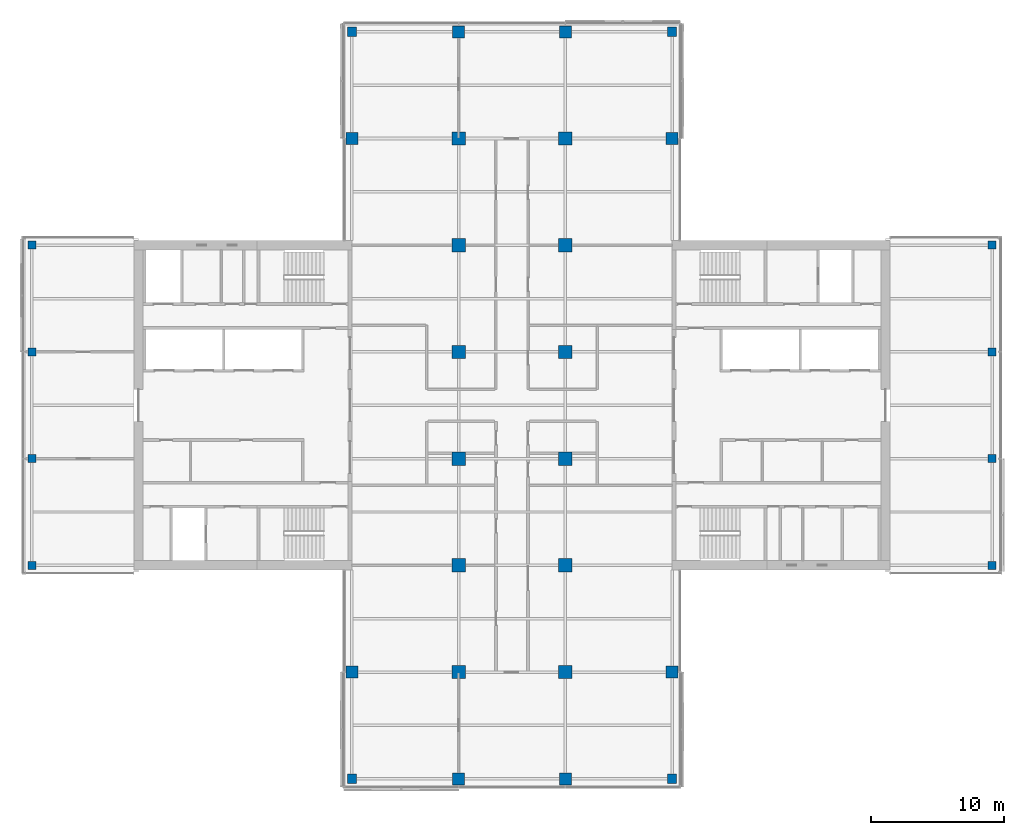
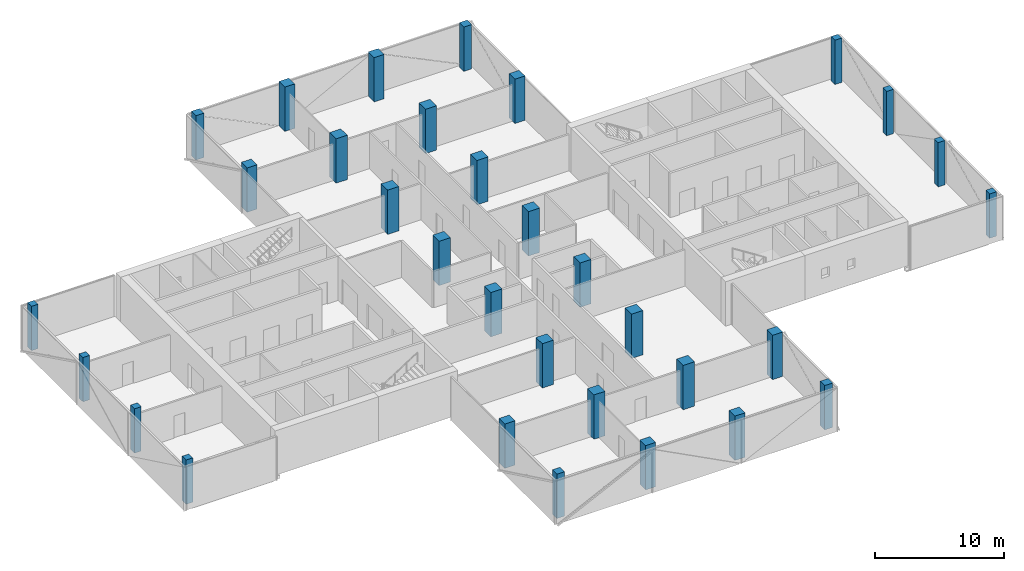
# One storey, part 1 of 22: 32 columns.
"""IFC4 building model written with IfcOpenShell, lengths in metres."""

from ifc_helpers import new_model, si_unit, direction, frame, origin, origin_2d, place, context, subcontext, project, spatial, rectangle, extrude, material, material_profile, profile_set, type_object, element, save


model = new_model("IFC4")

# Units and contexts
model_context = context("Model", 3, precision=1e-05, world=origin(), true_north=direction((0.0, 1.0)))
body_context = subcontext(model_context, "Body", "Model", "MODEL_VIEW")
ifc_project = project(units=[si_unit("LENGTHUNIT", "METRE"), si_unit("AREAUNIT", "SQUARE_METRE"), si_unit("VOLUMEUNIT", "CUBIC_METRE"), si_unit("PLANEANGLEUNIT", "RADIAN"), si_unit("MASSUNIT", "GRAM", prefix="KILO")], contexts=[model_context])

# Site, building, storey
site_placement = place(None, origin())
site = spatial("IfcSite", under=ifc_project, at=site_placement, CompositionType="ELEMENT")
building_placement = place(site_placement, origin())
building = spatial("IfcBuilding", under=site, at=building_placement, Name="Crosswind Convention Tower", CompositionType="ELEMENT")
storey_placement = place(building_placement, frame((0.0, 0.0, 154.699951171875)))
storey = spatial("IfcBuildingStorey", under=building, at=storey_placement, Name="L32", CompositionType="ELEMENT", Elevation=154.699951171875)

# Columns
ifc_material_1 = material(Name="Concrete C70/85", Category="concrete")
ifc_material_profile_1 = material_profile(ifc_material_1, rectangle(XDim=1.0, YDim=1.0, at=origin_2d()), Name="RC 1000X1000")
ifc_profile_set_1 = profile_set([ifc_material_profile_1], Name="Concrete C70/85")
column_type_1 = type_object("IfcColumnType", Name="Column RC 1000X1000", PredefinedType="COLUMN", material=ifc_profile_set_1)
for number, where, z_axis, x_axis, name in (
    (1, (121.0, 80.0, 0.0), (0.0, 0.0, 1.0), (1.0, 0.0, 0.0), "C12 L32 6/D"),
    (2, (121.0, 88.0, 0.0), (0.0, 0.0, 1.0), (1.0, 0.0, 0.0), "C12 L32 6/E"),
    (3, (121.0, 96.0, 0.0), (0.0, 0.0, 1.0), (1.0, 0.0, 0.0), "C12 L32 6/F"),
    (4, (121.0, 104.0, 0.0), (0.0, 0.0, 1.0), (1.0, 0.0, 0.0), "C12 L32 6/G"),
    (5, (121.0, 112.0, 0.0), (0.0, 0.0, 1.0), (1.0, 0.0, 0.0), "C12 L32 6/H"),
    (6, (121.0, 120.0, 0.0), (0.0, 0.0, 1.0), (1.0, 0.0, 0.0), "C12 L32 6/I"),
    (7, (129.0, 80.0, 0.0), (0.0, 0.0, 1.0), (1.0, 0.0, 0.0), "C12 L32 7/D"),
    (8, (129.0, 88.0, 0.0), (0.0, 0.0, 1.0), (1.0, 0.0, 0.0), "C12 L32 7/E"),
    (9, (129.0, 96.0, 0.0), (0.0, 0.0, 1.0), (1.0, 0.0, 0.0), "C12 L32 7/F"),
    (10, (129.0, 104.0, 0.0), (0.0, 0.0, 1.0), (1.0, 0.0, 0.0), "C12 L32 7/G"),
    (11, (129.0, 112.0, 0.0), (0.0, 0.0, 1.0), (1.0, 0.0, 0.0), "C12 L32 7/H"),
    (12, (129.0, 120.0, 0.0), (0.0, 0.0, 1.0), (1.0, 0.0, 0.0), "C12 L32 7/I"),
):
    element("IfcColumn", number, at=place(storey_placement, frame(where, z_axis=z_axis, x_axis=x_axis)), inside=storey, type_object=column_type_1, Name=name, PredefinedType="COLUMN", context=body_context, shape_type="SweptSolid", body=[
        extrude(rectangle(XDim=1.0, YDim=1.0, at=origin_2d()), origin(), (0.0, 0.0, 1.0), 4.199951171875),
    ])
ifc_material_2 = material(Name="Concrete C60/75", Category="concrete")
ifc_material_profile_2 = material_profile(ifc_material_2, rectangle(XDim=0.60009765625, YDim=0.60009765625, at=origin_2d()), Name="RC 600X600")
ifc_profile_set_2 = profile_set([ifc_material_profile_2], Name="Concrete C60/75")
column_type_2 = type_object("IfcColumnType", Name="Column RC 600X600", PredefinedType="COLUMN", material=ifc_profile_set_2)
for number, where, z_axis, x_axis, name in (
    (13, (89.0, 88.0, 0.0), (0.0, 0.0, 1.0), (1.0, 0.0, 0.0), "C16 L32 2/E"),
    (14, (89.0, 96.0, 0.0), (0.0, 0.0, 1.0), (1.0, 0.0, 0.0), "C16 L32 2/F"),
    (15, (89.0, 104.0, 0.0), (0.0, 0.0, 1.0), (1.0, 0.0, 0.0), "C16 L32 2/G"),
    (16, (89.0, 112.0, 0.0), (0.0, 0.0, 1.0), (1.0, 0.0, 0.0), "C16 L32 2/H"),
    (17, (161.0, 88.0, 0.0), (0.0, 0.0, 1.0), (1.0, 0.0, 0.0), "C16 L32 11/E"),
    (18, (161.0, 96.0, 0.0), (0.0, 0.0, 1.0), (1.0, 0.0, 0.0), "C16 L32 11/F"),
    (19, (161.0, 104.0, 0.0), (0.0, 0.0, 1.0), (1.0, 0.0, 0.0), "C16 L32 11/G"),
    (20, (161.0, 112.0, 0.0), (0.0, 0.0, 1.0), (1.0, 0.0, 0.0), "C16 L32 11/H"),
):
    element("IfcColumn", number, at=place(storey_placement, frame(where, z_axis=z_axis, x_axis=x_axis)), inside=storey, type_object=column_type_2, Name=name, PredefinedType="COLUMN", context=body_context, shape_type="SweptSolid", body=[
        extrude(rectangle(XDim=0.60009765625, YDim=0.60009765625, at=origin_2d()), origin(), (0.0, 0.0, 1.0), 4.199951171875),
    ])
ifc_material_profile_3 = material_profile(ifc_material_2, rectangle(XDim=0.699951171875, YDim=0.699951171875, at=origin_2d()), Name="RC 700X700")
ifc_profile_set_3 = profile_set([ifc_material_profile_3], Name="Concrete C60/75")
column_type_3 = type_object("IfcColumnType", Name="Column RC 700X700", PredefinedType="COLUMN", material=ifc_profile_set_3)
for number, where, z_axis, x_axis, name in (
    (21, (113.0, 72.0, 0.0), (0.0, 0.0, 1.0), (1.0, 0.0, 0.0), "C15 L32 5/C"),
    (22, (113.0, 128.0, 0.0), (0.0, 0.0, 1.0), (1.0, 0.0, 0.0), "C15 L32 5/J"),
    (23, (137.0, 72.0, 0.0), (0.0, 0.0, 1.0), (1.0, 0.0, 0.0), "C15 L32 8/C"),
    (24, (137.0, 128.0, 0.0), (0.0, 0.0, 1.0), (1.0, 0.0, 0.0), "C15 L32 8/J"),
):
    element("IfcColumn", number, at=place(storey_placement, frame(where, z_axis=z_axis, x_axis=x_axis)), inside=storey, type_object=column_type_3, Name=name, PredefinedType="COLUMN", context=body_context, shape_type="SweptSolid", body=[
        extrude(rectangle(XDim=0.699951171875, YDim=0.699951171875, at=origin_2d()), origin(), (0.0, 0.0, 1.0), 4.199951171875),
    ])
ifc_material_profile_4 = material_profile(ifc_material_2, rectangle(XDim=0.89990234375, YDim=0.89990234375, at=origin_2d()), Name="RC 900X900")
ifc_profile_set_4 = profile_set([ifc_material_profile_4], Name="Concrete C60/75")
column_type_4 = type_object("IfcColumnType", Name="Column RC 900X900", PredefinedType="COLUMN", material=ifc_profile_set_4)
for number, where, z_axis, x_axis, name in (
    (25, (113.0, 80.0, 0.0), (0.0, 0.0, 1.0), (1.0, 0.0, 0.0), "C13 L32 5/D"),
    (26, (113.0, 120.0, 0.0), (0.0, 0.0, 1.0), (1.0, 0.0, 0.0), "C13 L32 5/I"),
    (27, (121.0, 72.0, 0.0), (0.0, 0.0, 1.0), (1.0, 0.0, 0.0), "C13 L32 6/C"),
    (28, (121.0, 128.0, 0.0), (0.0, 0.0, 1.0), (1.0, 0.0, 0.0), "C13 L32 6/J"),
    (29, (129.0, 72.0, 0.0), (0.0, 0.0, 1.0), (1.0, 0.0, 0.0), "C13 L32 7/C"),
    (30, (129.0, 128.0, 0.0), (0.0, 0.0, 1.0), (1.0, 0.0, 0.0), "C13 L32 7/J"),
    (31, (137.0, 80.0, 0.0), (0.0, 0.0, 1.0), (1.0, 0.0, 0.0), "C13 L32 8/D"),
    (32, (137.0, 120.0, 0.0), (0.0, 0.0, 1.0), (1.0, 0.0, 0.0), "C13 L32 8/I"),
):
    element("IfcColumn", number, at=place(storey_placement, frame(where, z_axis=z_axis, x_axis=x_axis)), inside=storey, type_object=column_type_4, Name=name, PredefinedType="COLUMN", context=body_context, shape_type="SweptSolid", body=[
        extrude(rectangle(XDim=0.89990234375, YDim=0.89990234375, at=origin_2d()), origin(), (0.0, 0.0, 1.0), 4.199951171875),
    ])

save(model, "model.ifc")
